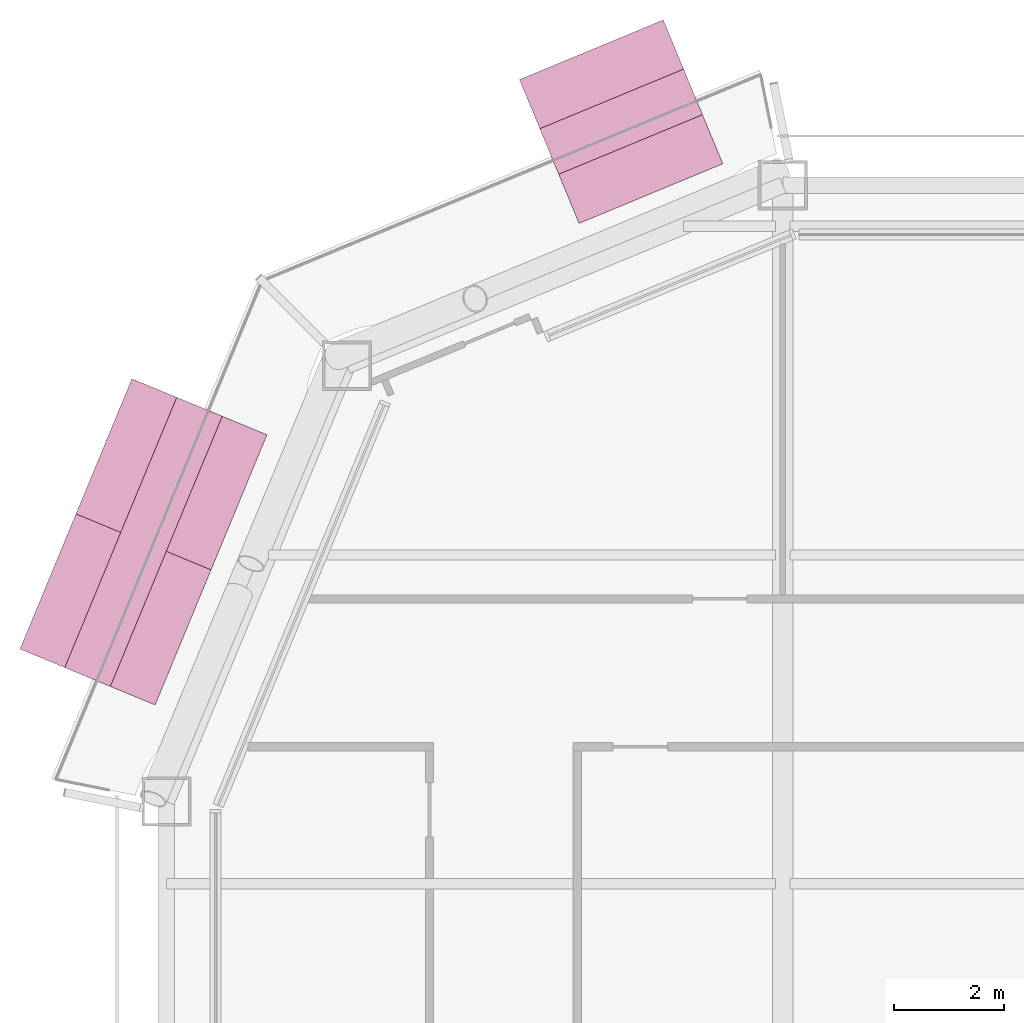
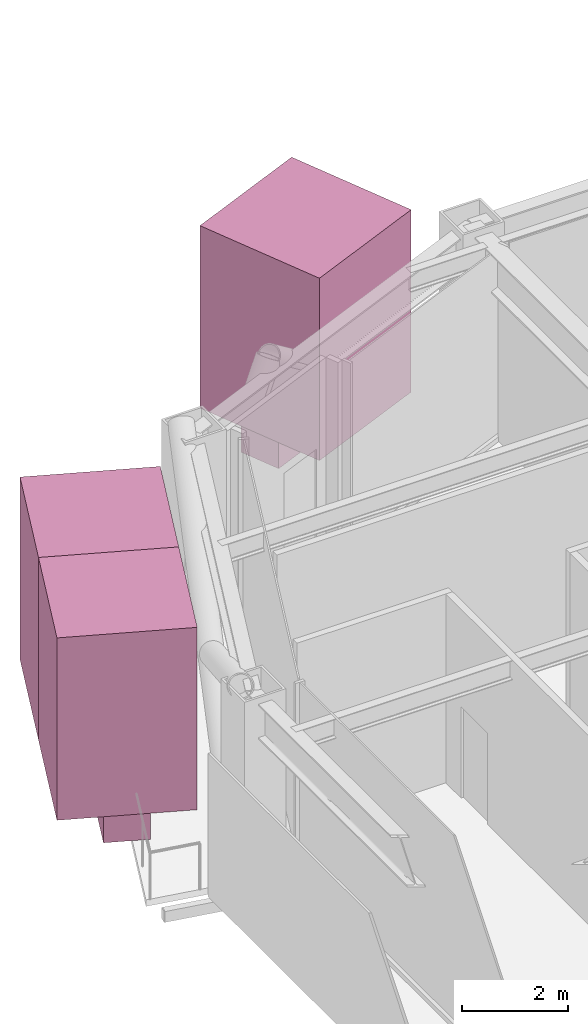
# One storey, part 23 of 23: 5 furnishings.
"""IFC4 building model written with IfcOpenShell, lengths in metres."""

from ifc_helpers import new_model, si_unit, direction, frame, origin, origin_2d, place, context, subcontext, project, spatial, rectangle, extrude, material, type_object, element, save


model = new_model("IFC4")

# Units and contexts
model_context = context("Model", 3, precision=1e-05, world=origin(), true_north=direction((0.0, 1.0)))
body_context = subcontext(model_context, "Body", "Model", "MODEL_VIEW")
ifc_project = project(units=[si_unit("LENGTHUNIT", "METRE"), si_unit("AREAUNIT", "SQUARE_METRE"), si_unit("VOLUMEUNIT", "CUBIC_METRE"), si_unit("PLANEANGLEUNIT", "RADIAN"), si_unit("MASSUNIT", "GRAM", prefix="KILO")], contexts=[model_context])

# Site, building, storey
site_placement = place(None, origin())
site = spatial("IfcSite", under=ifc_project, at=site_placement, CompositionType="ELEMENT")
building_placement = place(site_placement, origin())
building = spatial("IfcBuilding", under=site, at=building_placement, Name="Siwar Civic Tower", CompositionType="ELEMENT")
storey_placement = place(building_placement, frame((0.0, 0.0, 172.199951171875)))
storey = spatial("IfcBuildingStorey", under=building, at=storey_placement, Name="L37", CompositionType="ELEMENT", Elevation=172.199951171875)

# Furnishings
ifc_material_1 = material(Name="Planting soil and foliage")
furnishing_element_type_1 = type_object("IfcFurnishingElementType", Name="ENV-PLANTER", material=ifc_material_1)
furnishing_1_placement = place(storey_placement, frame((-20.949951171875, 30.409423828125, 0.0), z_axis=(0.0, 0.0, 1.0), x_axis=(-0.923879532511, -0.382683432365, 0.0)))
element("IfcFurnishingElement", 1, at=furnishing_1_placement, inside=storey, type_object=furnishing_element_type_1, Name="PLANTER NW 1", context=body_context, shape_type="SweptSolid", body=[
    extrude(rectangle(XDim=2.84130859375, YDim=0.89990234375, at=origin_2d()), origin(), (0.0, 0.0, 1.0), 0.60009765625),
])
furnishing_2_placement = place(storey_placement, frame((-29.66796875, 22.73974609375, 0.0), z_axis=(0.0, 0.0, 1.0), x_axis=(-0.382683432365, -0.923879532511, 0.0)))
element("IfcFurnishingElement", 2, at=furnishing_2_placement, inside=storey, type_object=furnishing_element_type_1, Name="PLANTER NW 2", context=body_context, shape_type="SweptSolid", body=[
    extrude(rectangle(XDim=5.33837890625, YDim=0.89990234375, at=origin_2d()), origin(), (0.0, 0.0, 1.0), 0.60009765625),
])
ifc_material_2 = material(Name="Planting soil and foliage")
furnishing_element_type_2 = type_object("IfcFurnishingElementType", Name="ENV-TREE", material=ifc_material_2)
furnishing_3_placement = place(storey_placement, frame((-20.949951171875, 30.409423828125, 0.60009765625), z_axis=(0.0, 0.0, 1.0), x_axis=(-0.923879532511, -0.382683432365, 0.0)))
element("IfcFurnishingElement", 3, at=furnishing_3_placement, inside=storey, type_object=furnishing_element_type_2, Name="PLANTER (TREE) NW 1.1", context=body_context, shape_type="SweptSolid", body=[
    extrude(rectangle(XDim=2.84130859375, YDim=2.84130859375, at=origin_2d()), origin(), (0.0, 0.0, 1.0), 4.199951171875),
])
for number, where, z_axis, x_axis, name in (
    (4, (-29.1572265625, 23.972900390625, 0.60009765625), (0.0, 0.0, 1.0), (-0.382683432365, -0.923879532511, 0.0), "PLANTER (TREE) NW 2.1"),
    (5, (-30.1787109375, 21.5068359375, 0.60009765625), (0.0, 0.0, 1.0), (-0.382683432365, -0.923879532511, 0.0), "PLANTER (TREE) NW 2.2"),
):
    element("IfcFurnishingElement", number, at=place(storey_placement, frame(where, z_axis=z_axis, x_axis=x_axis)), inside=storey, type_object=furnishing_element_type_2, Name=name, context=body_context, shape_type="SweptSolid", body=[
        extrude(rectangle(XDim=2.669189453125, YDim=2.669189453125, at=origin_2d()), origin(), (0.0, 0.0, 1.0), 4.199951171875),
    ])

save(model, "model.ifc")
